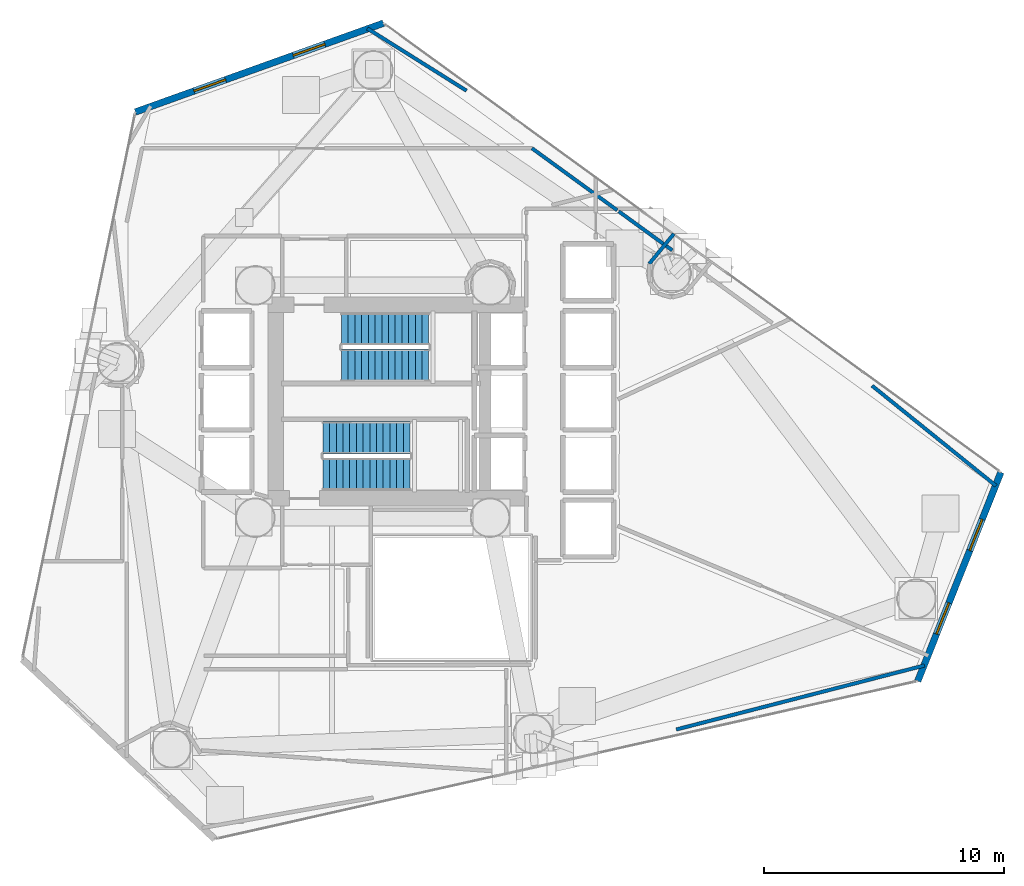
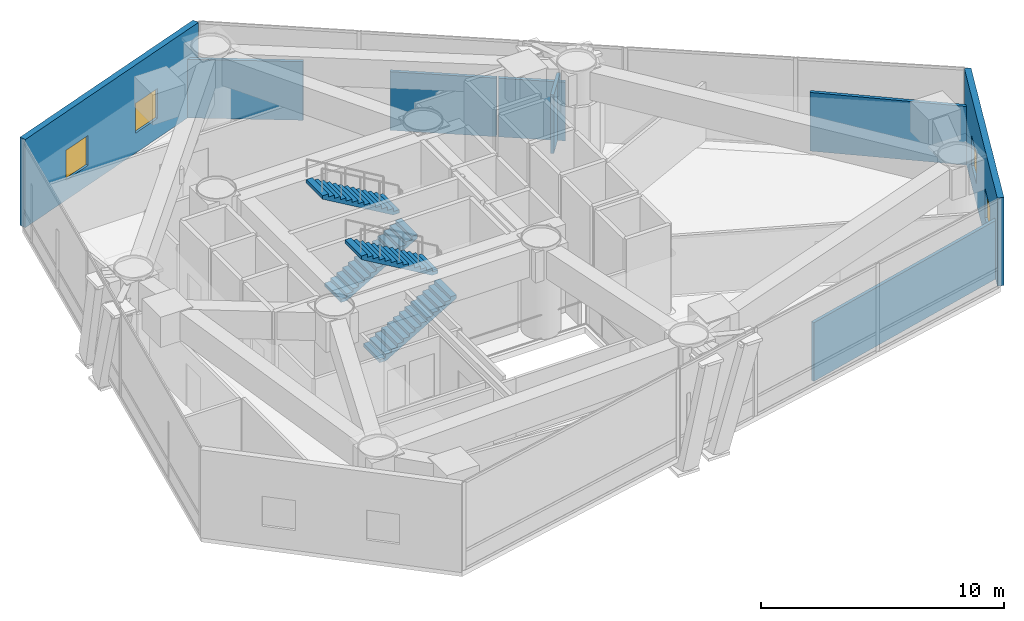
# One storey, part 19 of 22: 8 walls, 4 stair flights, 4 windows, 4 openings, 2 elements without a shape of their own.
"""IFC4 building model written with IfcOpenShell, lengths in metres."""

from ifc_helpers import new_model, si_unit, direction, frame, frame_2d, origin, place, context, subcontext, project, spatial, polyline, rectangle, outline, extrude, material, layer, layer_set, type_object, element, fill, aggregate, save


model = new_model("IFC4")

# Units and contexts
model_context = context("Model", 3, precision=1e-05, world=origin(), true_north=direction((0.0, 1.0)))
body_context = subcontext(model_context, "Body", "Model", "MODEL_VIEW")
ifc_project = project(units=[si_unit("LENGTHUNIT", "METRE"), si_unit("AREAUNIT", "SQUARE_METRE"), si_unit("VOLUMEUNIT", "CUBIC_METRE"), si_unit("PLANEANGLEUNIT", "RADIAN"), si_unit("MASSUNIT", "GRAM", prefix="KILO")], contexts=[model_context])

# Site, building, storey
site_placement = place(None, origin())
site = spatial("IfcSite", under=ifc_project, at=site_placement, CompositionType="ELEMENT")
building_placement = place(site_placement, origin())
building = spatial("IfcBuilding", under=site, at=building_placement, Name="Qianvela Tower", CompositionType="ELEMENT")
storey_placement = place(building_placement, frame((0.0, 0.0, 93.199951171875)))
storey = spatial("IfcBuildingStorey", under=building, at=storey_placement, Name="L23", CompositionType="ELEMENT", Elevation=93.199951171875)

# Wall, openings, windows
ifc_material_1 = material(Name="Terracotta Cladding on Concrete C40", Category="masonry")
ifc_layer_1 = layer(ifc_material_1, 0.280029296875)
ifc_layer_set_1 = layer_set([ifc_layer_1], Name="Terracotta Cladding on Concrete C40")
wall_type_1 = type_object("IfcWallType", Name="TERRACOTTA-WALL-280", PredefinedType="SOLIDWALL", material=ifc_layer_set_1)
wall_1_placement = place(storey_placement, frame((56.25927734375, 17.02734375, 0.0), z_axis=(0.0, 0.0, 1.0), x_axis=(0.369797409366, 0.929112413019, 0.0)))
wall_1 = element("IfcWall", 1, at=wall_1_placement, inside=storey, type_object=wall_type_1, Name="L23 Terracotta Chamfer Facet Wall 1", PredefinedType="SOLIDWALL", context=body_context, shape_type="SweptSolid", body=[
    extrude(rectangle(XDim=9.382080078125, YDim=0.280029296875, at=frame_2d((4.69091796875, 0.0))), origin(), (0.0, 0.0, 1.0), 4.420166015625),
])
opening_1_placement = place(wall_1_placement, frame((2.11474609375, 0.0, 1.0)))
opening_1 = element("IfcOpeningElement", 2, at=opening_1_placement, cuts=wall_1, Name="Opening W-06", PredefinedType="OPENING", context=body_context, shape_type="SweptSolid", body=[
    extrude(rectangle(XDim=1.39990234375, YDim=1.5, at=frame_2d((0.699951171875, 0.75))), frame((0.0, 0.14990234375, 0.0), z_axis=(0.0, -1.0, 0.0), x_axis=(1.0, 0.0, 0.0)), (0.0, 0.0, 1.0), 0.300048828125),
])
opening_2_placement = place(wall_1_placement, frame((5.867431640625, 0.0, 1.0)))
opening_2 = element("IfcOpeningElement", 3, at=opening_2_placement, cuts=wall_1, Name="Opening W-06", PredefinedType="OPENING", context=body_context, shape_type="SweptSolid", body=[
    extrude(rectangle(XDim=1.39990234375, YDim=1.5, at=frame_2d((0.699951171875, 0.75))), frame((0.0, 0.14990234375, 0.0), z_axis=(0.0, -1.0, 0.0), x_axis=(1.0, 0.0, 0.0)), (0.0, 0.0, 1.0), 0.300048828125),
])
ifc_material_2 = material(Name="Thermally Broken Aluminium and Low-E Glass", Category="aluminium")
window_type = type_object("IfcWindowType", Name="WIN-REF-1400x1500", PartitioningType="SINGLE_PANEL", PredefinedType="WINDOW", material=ifc_material_2)
window_1_placement = place(opening_1_placement, origin())
window_1 = element("IfcWindow", 4, at=window_1_placement, inside=storey, type_object=window_type, Name="L23 Chamfer Facet Window 1.1", OverallHeight=1.5, OverallWidth=1.39990234375, PartitioningType="SINGLE_PANEL", PredefinedType="WINDOW", context=body_context, shape_type="SweptSolid", body=[
    extrude(rectangle(XDim=1.39990234375, YDim=1.5, at=frame_2d((0.699951171875, 0.75))), frame((0.0, 0.030029296875, 0.0), z_axis=(0.0, -1.0, 0.0), x_axis=(1.0, 0.0, 0.0)), (0.0, 0.0, 1.0), 0.06005859375),
])
fill(opening_1, window_1)
window_2_placement = place(opening_2_placement, origin())
window_2 = element("IfcWindow", 5, at=window_2_placement, inside=storey, type_object=window_type, Name="L23 Chamfer Facet Window 1.2", OverallHeight=1.5, OverallWidth=1.39990234375, PartitioningType="SINGLE_PANEL", PredefinedType="WINDOW", context=body_context, shape_type="SweptSolid", body=[
    extrude(rectangle(XDim=1.39990234375, YDim=1.5, at=frame_2d((0.699951171875, 0.75))), frame((0.0, 0.030029296875, 0.0), z_axis=(0.0, -1.0, 0.0), x_axis=(1.0, 0.0, 0.0)), (0.0, 0.0, 1.0), 0.06005859375),
])
fill(opening_2, window_2)

wall_2_placement = place(storey_placement, frame((33.948974609375, 44.497314453125, 0.0), z_axis=(0.0, 0.0, 1.0), x_axis=(-0.941433163769, -0.337199641394, 0.0)))
wall_2 = element("IfcWall", 6, at=wall_2_placement, inside=storey, type_object=wall_type_1, Name="L23 Terracotta Chamfer Facet Wall 3", PredefinedType="SOLIDWALL", context=body_context, shape_type="SweptSolid", body=[
    extrude(rectangle(XDim=10.99853515625, YDim=0.280029296875, at=frame_2d((5.499267578125, 0.0))), origin(), (0.0, 0.0, 1.0), 4.420166015625),
])
opening_3_placement = place(wall_2_placement, frame((2.599609375, 0.0, 1.0)))
opening_3 = element("IfcOpeningElement", 7, at=opening_3_placement, cuts=wall_2, Name="Opening W-06", PredefinedType="OPENING", context=body_context, shape_type="SweptSolid", body=[
    extrude(rectangle(XDim=1.39990234375, YDim=1.5, at=frame_2d((0.699951171875, 0.75))), frame((0.0, 0.14990234375, 0.0), z_axis=(0.0, -1.0, 0.0), x_axis=(1.0, 0.0, 0.0)), (0.0, 0.0, 1.0), 0.300048828125),
])
opening_4_placement = place(wall_2_placement, frame((6.9990234375, 0.0, 1.0)))
opening_4 = element("IfcOpeningElement", 8, at=opening_4_placement, cuts=wall_2, Name="Opening W-06", PredefinedType="OPENING", context=body_context, shape_type="SweptSolid", body=[
    extrude(rectangle(XDim=1.39990234375, YDim=1.5, at=frame_2d((0.699951171875, 0.75))), frame((0.0, 0.14990234375, 0.0), z_axis=(0.0, -1.0, 0.0), x_axis=(1.0, 0.0, 0.0)), (0.0, 0.0, 1.0), 0.300048828125),
])
window_3_placement = place(opening_3_placement, origin())
window_3 = element("IfcWindow", 9, at=window_3_placement, inside=storey, type_object=window_type, Name="L23 Chamfer Facet Window 3.1", OverallHeight=1.5, OverallWidth=1.39990234375, PartitioningType="SINGLE_PANEL", PredefinedType="WINDOW", context=body_context, shape_type="SweptSolid", body=[
    extrude(rectangle(XDim=1.39990234375, YDim=1.5, at=frame_2d((0.699951171875, 0.75))), frame((0.0, 0.030029296875, 0.0), z_axis=(0.0, -1.0, 0.0), x_axis=(1.0, 0.0, 0.0)), (0.0, 0.0, 1.0), 0.06005859375),
])
fill(opening_3, window_3)
window_4_placement = place(opening_4_placement, origin())
window_4 = element("IfcWindow", 10, at=window_4_placement, inside=storey, type_object=window_type, Name="L23 Chamfer Facet Window 3.2", OverallHeight=1.5, OverallWidth=1.39990234375, PartitioningType="SINGLE_PANEL", PredefinedType="WINDOW", context=body_context, shape_type="SweptSolid", body=[
    extrude(rectangle(XDim=1.39990234375, YDim=1.5, at=frame_2d((0.699951171875, 0.75))), frame((0.0, 0.030029296875, 0.0), z_axis=(0.0, -1.0, 0.0), x_axis=(1.0, 0.0, 0.0)), (0.0, 0.0, 1.0), 0.06005859375),
])
fill(opening_4, window_4)

# Walls
ifc_material_3 = material(Name="Fire-Rated Acoustic Gypsum Board")
ifc_layer_2 = layer(ifc_material_3, 0.14990234375)
ifc_layer_set_2 = layer_set([ifc_layer_2], Name="Fire-Rated Acoustic Gypsum Board")
wall_type_2 = type_object("IfcWallType", Name="WT-CORR-150", PredefinedType="PARTITIONING", material=ifc_layer_set_2)
wall_3_placement = place(storey_placement, frame((40.149169921875, 39.27490234375, 0.0), z_axis=(0.0, 0.0, 1.0), x_axis=(0.808678485234, -0.588250888243, 0.0)))
element("IfcWall", 11, at=wall_3_placement, inside=storey, type_object=wall_type_2, Name="L23 Partition 46", PredefinedType="PARTITIONING", context=body_context, shape_type="SweptSolid", body=[
    extrude(rectangle(XDim=4.3994140625, YDim=0.14990234375, at=frame_2d((2.19970703125, 0.0))), origin(), (0.0, 0.0, 1.0), 2.93994140625),
])
wall_4_placement = place(storey_placement, frame((33.276611328125, 44.274169921875, 0.0), z_axis=(0.0, 0.0, 1.0), x_axis=(0.847167011218, -0.531326693386, 0.0)))
element("IfcWall", 12, at=wall_4_placement, inside=storey, type_object=wall_type_2, Name="L23 Partition 68 seg 1", PredefinedType="PARTITIONING", context=body_context, shape_type="SweptSolid", body=[
    extrude(rectangle(XDim=4.889892578125, YDim=0.14990234375, at=frame_2d((2.44482421875, 0.0))), origin(), (0.0, 0.0, 1.0), 2.93994140625),
])
wall_5_placement = place(storey_placement, frame((54.3486328125, 29.361328125, 0.0), z_axis=(0.0, 0.0, 1.0), x_axis=(0.777935661649, -0.628343939522, 0.0)))
element("IfcWall", 13, at=wall_5_placement, inside=storey, type_object=wall_type_2, Name="L23 Partition 83 seg 1", PredefinedType="PARTITIONING", context=body_context, shape_type="SweptSolid", body=[
    extrude(rectangle(XDim=6.65380859375, YDim=0.14990234375, at=frame_2d((3.326904296875, 0.0))), origin(), (0.0, 0.0, 1.0), 2.93994140625),
])
wall_6_placement = place(storey_placement, frame((56.536865234375, 17.68017578125, 0.0), z_axis=(0.0, 0.0, 1.0), x_axis=(-0.968269668655, -0.249907680481, 0.0)))
element("IfcWall", 14, at=wall_6_placement, inside=storey, type_object=wall_type_2, Name="L23 Partition 92 seg 1", PredefinedType="PARTITIONING", context=body_context, shape_type="SweptSolid", body=[
    extrude(rectangle(XDim=10.7041015625, YDim=0.14990234375, at=frame_2d((5.35205078125, 0.0))), origin(), (0.0, 0.0, 1.0), 2.93994140625),
])
wall_7_placement = place(storey_placement, frame((43.771484375, 36.639892578125, 0.0), z_axis=(0.0, 0.0, 1.0), x_axis=(0.80866355955, -0.588271406287, 0.0)))
element("IfcWall", 15, at=wall_7_placement, inside=storey, type_object=wall_type_2, Name="L23 Partition 98 seg 1", PredefinedType="PARTITIONING", context=body_context, shape_type="SweptSolid", body=[
    extrude(rectangle(XDim=2.76611328125, YDim=0.14990234375, at=frame_2d((1.383056640625, 0.0))), origin(), (0.0, 0.0, 1.0), 2.93994140625),
])
wall_8_placement = place(storey_placement, frame((46.07421875, 35.701904296875, 0.0), z_axis=(0.0, 0.0, 1.0), x_axis=(-0.634291123896, -0.773094282832, 0.0)))
element("IfcWall", 16, at=wall_8_placement, inside=storey, type_object=wall_type_2, Name="L23 Partition 100", PredefinedType="PARTITIONING", context=body_context, shape_type="SweptSolid", body=[
    extrude(rectangle(XDim=1.61474609375, YDim=0.14990234375, at=frame_2d((0.807373046875, 0.0))), origin(), (0.0, 0.0, 1.0), 2.93994140625),
])

# Stair, stair flights
ifc_material_4 = material(Name="Concrete C40", Category="concrete")
stair_type = type_object("IfcStairType", Name="ST-DOGLEG-1350-R164-N28", PredefinedType="HALF_TURN_STAIR", material=ifc_material_4)
stair_1_placement = place(storey_placement, origin())
stair_1 = element("IfcStair", 17, at=stair_1_placement, inside=storey, type_object=stair_type, Name="L23 Smoke-Proof Core Stair ST-1", PredefinedType="HALF_TURN_STAIR")
ifc_material_5 = material(Name="Concrete C40", Category="concrete")
stair_flight_type = type_object("IfcStairFlightType", Name="STF-STRAIGHT-R164-P14", PredefinedType="STRAIGHT", material=ifc_material_5)
stair_flight_1_placement = place(storey_placement, frame((32.199951171875, 30.215087890625, 0.0), z_axis=(0.0, 0.0, 1.0), x_axis=(1.0, 0.0, 0.0)))
stair_flight_1 = element("IfcStairFlight", 18, at=stair_flight_1_placement, type_object=stair_flight_type, Name="ST-1 flight 1", NumberOfRisers=14, NumberOfTreads=13, PredefinedType="STRAIGHT", RiserHeight=0.164285714, TreadLength=0.28, context=body_context, shape_type="SweptSolid", body=[
    extrude(outline(polyline([(0.0, 0.0), (0.0, 0.164306640625), (0.280029296875, 0.164306640625), (0.280029296875, 0.32861328125), (0.56005859375, 0.32861328125), (0.56005859375, 0.492919921875), (0.840087890625, 0.492919921875), (0.840087890625, 0.6572265625), (1.1201171875, 0.6572265625), (1.1201171875, 0.821533203125), (1.39990234375, 0.821533203125), (1.39990234375, 0.985595703125), (1.679931640625, 0.985595703125), (1.679931640625, 1.14990234375), (1.9599609375, 1.14990234375), (1.9599609375, 1.314208984375), (2.239990234375, 1.314208984375), (2.239990234375, 1.478515625), (2.52001953125, 1.478515625), (2.52001953125, 1.642822265625), (2.800048828125, 1.642822265625), (2.800048828125, 1.80712890625), (3.080078125, 1.80712890625), (3.080078125, 1.971435546875), (3.360107421875, 1.971435546875), (3.360107421875, 2.1357421875), (3.639892578125, 2.1357421875), (3.639892578125, 2.300048828125), (3.639892578125, 1.9619140625), (0.296142578125, 0.0), (0.0, 0.0)])), frame((0.0, 0.675048828125, 0.0), z_axis=(0.0, -1.0, 0.0), x_axis=(1.0, 0.0, 0.0)), (0.0, 0.0, 1.0), 1.35009765625),
])
stair_flight_2_placement = place(storey_placement, frame((35.840087890625, 31.72509765625, 2.300048828125), z_axis=(0.0, 0.0, 1.0), x_axis=(-1.0, 0.0, 0.0)))
stair_flight_2 = element("IfcStairFlight", 19, at=stair_flight_2_placement, type_object=stair_flight_type, Name="ST-1 flight 2", NumberOfRisers=14, NumberOfTreads=13, PredefinedType="STRAIGHT", RiserHeight=0.164285714, TreadLength=0.28, context=body_context, shape_type="SweptSolid", body=[
    extrude(outline(polyline([(0.0, 0.0), (0.0, 0.164306640625), (0.280029296875, 0.164306640625), (0.280029296875, 0.32861328125), (0.56005859375, 0.32861328125), (0.56005859375, 0.492919921875), (0.840087890625, 0.492919921875), (0.840087890625, 0.6572265625), (1.1201171875, 0.6572265625), (1.1201171875, 0.821533203125), (1.39990234375, 0.821533203125), (1.39990234375, 0.985595703125), (1.679931640625, 0.985595703125), (1.679931640625, 1.14990234375), (1.9599609375, 1.14990234375), (1.9599609375, 1.314208984375), (2.239990234375, 1.314208984375), (2.239990234375, 1.478515625), (2.52001953125, 1.478515625), (2.52001953125, 1.642822265625), (2.800048828125, 1.642822265625), (2.800048828125, 1.80712890625), (3.080078125, 1.80712890625), (3.080078125, 1.971435546875), (3.360107421875, 1.971435546875), (3.360107421875, 2.1357421875), (3.639892578125, 2.1357421875), (3.639892578125, 2.300048828125), (3.639892578125, 1.9619140625), (0.296142578125, 0.0), (0.0, 0.0)])), frame((0.0, 0.675048828125, 0.0), z_axis=(0.0, -1.0, 0.0), x_axis=(1.0, 0.0, 0.0)), (0.0, 0.0, 1.0), 1.35009765625),
])
aggregate(stair_1, [stair_flight_1, stair_flight_2])

stair_2_placement = place(storey_placement, origin())
stair_2 = element("IfcStair", 20, at=stair_2_placement, inside=storey, type_object=stair_type, Name="L23 Smoke-Proof Core Stair ST-2", PredefinedType="HALF_TURN_STAIR")
stair_flight_3_placement = place(storey_placement, frame((31.419921875, 25.675048828125, 0.0), z_axis=(0.0, 0.0, 1.0), x_axis=(1.0, 0.0, 0.0)))
stair_flight_3 = element("IfcStairFlight", 21, at=stair_flight_3_placement, type_object=stair_flight_type, Name="ST-2 flight 1", NumberOfRisers=14, NumberOfTreads=13, PredefinedType="STRAIGHT", RiserHeight=0.164285714, TreadLength=0.28, context=body_context, shape_type="SweptSolid", body=[
    extrude(outline(polyline([(0.0, 0.0), (0.0, 0.164306640625), (0.280029296875, 0.164306640625), (0.280029296875, 0.32861328125), (0.56005859375, 0.32861328125), (0.56005859375, 0.492919921875), (0.840087890625, 0.492919921875), (0.840087890625, 0.6572265625), (1.1201171875, 0.6572265625), (1.1201171875, 0.821533203125), (1.39990234375, 0.821533203125), (1.39990234375, 0.985595703125), (1.679931640625, 0.985595703125), (1.679931640625, 1.14990234375), (1.9599609375, 1.14990234375), (1.9599609375, 1.314208984375), (2.239990234375, 1.314208984375), (2.239990234375, 1.478515625), (2.52001953125, 1.478515625), (2.52001953125, 1.642822265625), (2.800048828125, 1.642822265625), (2.800048828125, 1.80712890625), (3.080078125, 1.80712890625), (3.080078125, 1.971435546875), (3.360107421875, 1.971435546875), (3.360107421875, 2.1357421875), (3.639892578125, 2.1357421875), (3.639892578125, 2.300048828125), (3.639892578125, 1.9619140625), (0.296142578125, 0.0), (0.0, 0.0)])), frame((0.0, 0.675048828125, 0.0), z_axis=(0.0, -1.0, 0.0), x_axis=(1.0, 0.0, 0.0)), (0.0, 0.0, 1.0), 1.35009765625),
])
stair_flight_4_placement = place(storey_placement, frame((35.06005859375, 27.18505859375, 2.300048828125), z_axis=(0.0, 0.0, 1.0), x_axis=(-1.0, 0.0, 0.0)))
stair_flight_4 = element("IfcStairFlight", 22, at=stair_flight_4_placement, type_object=stair_flight_type, Name="ST-2 flight 2", NumberOfRisers=14, NumberOfTreads=13, PredefinedType="STRAIGHT", RiserHeight=0.164285714, TreadLength=0.28, context=body_context, shape_type="SweptSolid", body=[
    extrude(outline(polyline([(0.0, 0.0), (0.0, 0.164306640625), (0.280029296875, 0.164306640625), (0.280029296875, 0.32861328125), (0.56005859375, 0.32861328125), (0.56005859375, 0.492919921875), (0.840087890625, 0.492919921875), (0.840087890625, 0.6572265625), (1.1201171875, 0.6572265625), (1.1201171875, 0.821533203125), (1.39990234375, 0.821533203125), (1.39990234375, 0.985595703125), (1.679931640625, 0.985595703125), (1.679931640625, 1.14990234375), (1.9599609375, 1.14990234375), (1.9599609375, 1.314208984375), (2.239990234375, 1.314208984375), (2.239990234375, 1.478515625), (2.52001953125, 1.478515625), (2.52001953125, 1.642822265625), (2.800048828125, 1.642822265625), (2.800048828125, 1.80712890625), (3.080078125, 1.80712890625), (3.080078125, 1.971435546875), (3.360107421875, 1.971435546875), (3.360107421875, 2.1357421875), (3.639892578125, 2.1357421875), (3.639892578125, 2.300048828125), (3.639892578125, 1.9619140625), (0.296142578125, 0.0), (0.0, 0.0)])), frame((0.0, 0.675048828125, 0.0), z_axis=(0.0, -1.0, 0.0), x_axis=(1.0, 0.0, 0.0)), (0.0, 0.0, 1.0), 1.35009765625),
])
aggregate(stair_2, [stair_flight_3, stair_flight_4])

save(model, "model.ifc")
